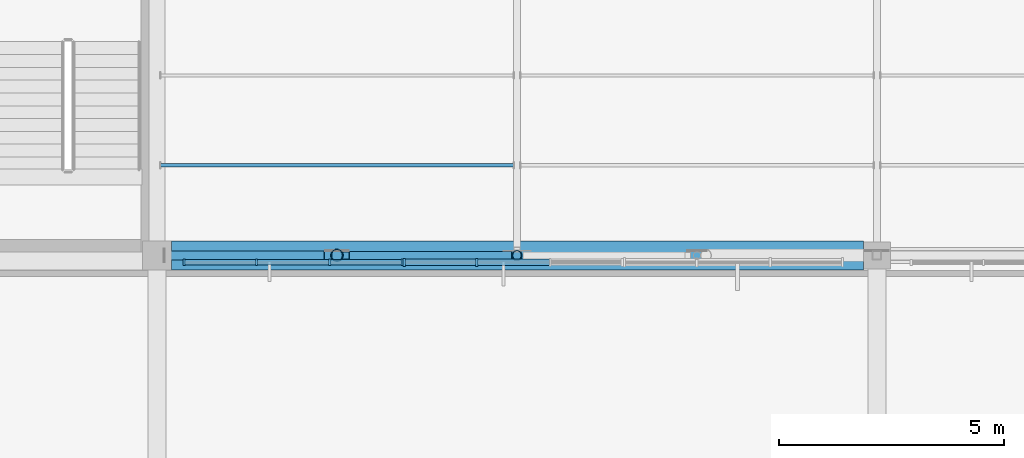
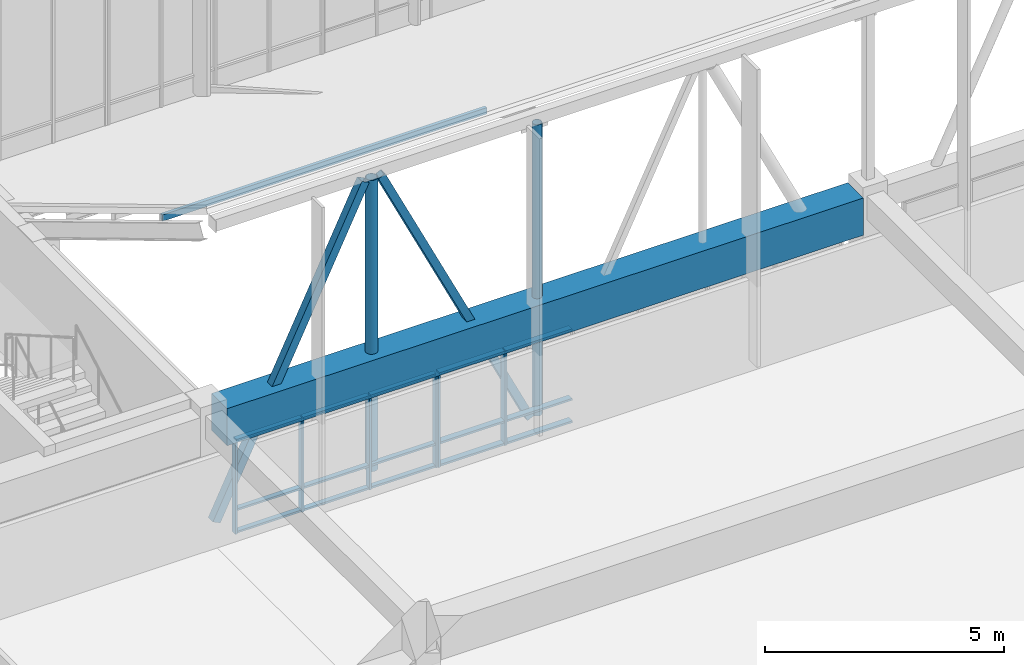
# One storey, part 31 of 155: 26 members, 1 beam, 2 elements without a shape of their own.
"""IFC4 building model written with IfcOpenShell, lengths in metres."""

import ifcopenshell
import ifcopenshell.guid

model = None  # the IFC model being written
_history = None  # IfcOwnerHistory: only IFC2X3 demands one
_inside = {}  # id of a spatial element -> (the spatial element, [elements in it])
_under = {}  # id of a project, library or spatial element -> (it, [spatial elements below it])
_declared = {}  # id of a project -> (the project, [libraries it declares])
_typed = {}  # id of a type object -> (the type object, [elements of that type])
_made_of = {}  # id of a material, layer set ... -> (it, [elements and type objects made of it])


def new_model(schema):
    """Start an empty IFC model of exactly this schema.

    Asked for "IFC4X3", IfcOpenShell would pick the latest addendum, in which some entities
    have other attributes; the version numbers below select the first issue.
    IFC2X3 requires an IfcOwnerHistory on every rooted entity: one is made here for all.
    """
    global model, _history
    if schema == "IFC4X3":
        model = ifcopenshell.file(schema_version=(4, 3, 0, 0))
    else:
        model = ifcopenshell.file(schema=schema)
    _inside.clear()
    _under.clear()
    _declared.clear()
    _typed.clear()
    _made_of.clear()
    _history = None
    if model.schema == "IFC2X3":
        org = make("IfcOrganization", Name="unknown")
        user = make(
            "IfcPersonAndOrganization",
            ThePerson=make("IfcPerson", FamilyName="unknown"),
            TheOrganization=org,
        )
        app = make(
            "IfcApplication",
            ApplicationDeveloper=org,
            Version="unknown",
            ApplicationFullName="unknown",
            ApplicationIdentifier="unknown",
        )
        _history = make(
            "IfcOwnerHistory",
            OwningUser=user,
            OwningApplication=app,
            ChangeAction="ADDED",
            CreationDate=0,
        )
    return model


def make(cls, **values):
    """One entity of the class cls with the attributes given. An attribute that is None is left unset."""
    return model.create_entity(
        cls, **{name: value for name, value in values.items() if value is not None}
    )


def rooted(cls, **values):
    """An entity with a GlobalId (a new one), such as an element, a storey or a relation."""
    return make(cls, GlobalId=ifcopenshell.guid.new(), OwnerHistory=_history, **values)


def si_unit(unit_type, name, prefix=None):
    """IfcSIUnit, for example si_unit("LENGTHUNIT", "METRE", prefix="MILLI")."""
    return make("IfcSIUnit", UnitType=unit_type, Prefix=prefix, Name=name)


def assignment(units):
    """IfcUnitAssignment: the units of a project."""
    return None if units is None else make("IfcUnitAssignment", Units=units)


def point(xyz):
    """IfcCartesianPoint."""
    return None if xyz is None else make("IfcCartesianPoint", Coordinates=xyz)


def direction(xyz):
    """IfcDirection."""
    return None if xyz is None else make("IfcDirection", DirectionRatios=xyz)


def frame(location, z_axis=None, x_axis=None):
    """IfcAxis2Placement3D, a coordinate frame: its origin and axes. An axis left out is left unset."""
    return make(
        "IfcAxis2Placement3D",
        Location=point(location),
        Axis=direction(z_axis),
        RefDirection=direction(x_axis),
    )


def frame_2d(location, x_axis=None):
    """IfcAxis2Placement2D, a coordinate frame in the plane: its origin and x axis."""
    return make(
        "IfcAxis2Placement2D", Location=point(location), RefDirection=direction(x_axis)
    )


def origin():
    """The frame at (0, 0, 0) with its axes left unset."""
    return frame((0.0, 0.0, 0.0))


def origin_2d():
    """The frame at (0, 0) in the plane with its x axis left unset."""
    return frame_2d((0.0, 0.0))


def place(relative_to, where):
    """IfcLocalPlacement: puts the frame where relative to a parent placement (None: the world)."""
    return make(
        "IfcLocalPlacement", PlacementRelTo=relative_to, RelativePlacement=where
    )


def context(
    kind, dimensions, precision=None, world=None, true_north=None, identifier=None
):
    """IfcGeometricRepresentationContext, for example the 3D "Model" context."""
    return make(
        "IfcGeometricRepresentationContext",
        ContextIdentifier=identifier,
        ContextType=kind,
        CoordinateSpaceDimension=dimensions,
        Precision=precision,
        WorldCoordinateSystem=world,
        TrueNorth=true_north,
    )


def subcontext(parent, identifier, kind, view, scale=None):
    """IfcGeometricRepresentationSubContext, for example "Body" below "Model"."""
    return make(
        "IfcGeometricRepresentationSubContext",
        ContextIdentifier=identifier,
        ContextType=kind,
        ParentContext=parent,
        TargetScale=scale,
        TargetView=view,
    )


def project(units=None, contexts=None):
    """IfcProject with its units and contexts."""
    return rooted(
        "IfcProject",
        Name="project",
        RepresentationContexts=contexts,
        UnitsInContext=assignment(units),
    )


def spatial(cls, under=None, at=None, **own):
    """A site, building, storey or space (cls), placed at a placement, below another one or the project."""
    s = rooted(cls, ObjectPlacement=at, **own)
    if under is not None:
        _under.setdefault(under.id(), (under, []))[1].append(s)
    return s


def profile(cls, at=None, kind="AREA", **sizes):
    """A parametric profile (cls). Its sizes go by their IFC names, for example OverallWidth=200.0."""
    return make(cls, ProfileType=kind, Position=at, **sizes)


def rectangle(**sizes):
    """IfcRectangleProfileDef."""
    return profile("IfcRectangleProfileDef", **sizes)


def hollow_rectangle(**sizes):
    """IfcRectangleHollowProfileDef."""
    return profile("IfcRectangleHollowProfileDef", **sizes)


def hollow_circle(**sizes):
    """IfcCircleHollowProfileDef."""
    return profile("IfcCircleHollowProfileDef", **sizes)


def extrude(swept, where, along, depth):
    """IfcExtrudedAreaSolid: the profile swept, set in the frame where, extruded along a direction by depth."""
    return make(
        "IfcExtrudedAreaSolid",
        SweptArea=swept,
        Position=where,
        ExtrudedDirection=direction(along),
        Depth=depth,
    )


def shape(context_of_items, identifier, shape_type, items):
    """IfcShapeRepresentation: the items that make up one representation, for example the "Body"."""
    return make(
        "IfcShapeRepresentation",
        ContextOfItems=context_of_items,
        RepresentationIdentifier=identifier,
        RepresentationType=shape_type,
        Items=items,
    )


def material(Name=None, Category=None):
    """IfcMaterial."""
    return make("IfcMaterial", Name=Name, Category=Category)


def material_profile(
    of_material, cross_section, Name=None, Category=None, Priority=None
):
    """IfcMaterialProfile: a cross section and its material."""
    return make(
        "IfcMaterialProfile",
        Name=Name,
        Material=of_material,
        Profile=cross_section,
        Priority=Priority,
        Category=Category,
    )


def profile_set(profiles, Name=None, composite=None):
    """IfcMaterialProfileSet."""
    return make(
        "IfcMaterialProfileSet",
        Name=Name,
        MaterialProfiles=profiles,
        CompositeProfile=composite,
    )


def made_of(thing, what):
    """Note that an element or type object is made of a material, layer set ...; save() writes the relation."""
    if what is not None:
        _made_of.setdefault(what.id(), (what, []))[1].append(thing)
    return thing


def type_object(cls, material=None, **own):
    """A type object (cls), such as IfcWallType, which elements share."""
    return made_of(rooted(cls, **own), material)


def element(
    cls,
    number,
    at=None,
    inside=None,
    cuts=None,
    type_object=None,
    material=None,
    context=None,
    identifier="Body",
    shape_type=None,
    held_by="IfcProductDefinitionShape",
    body=None,
    shapes=None,
    **own,
):
    """One element of the class cls, such as IfcWall. Its Tag is "e" and its number.

    at: its placement. inside: the storey or other place that contains it. cuts: it is an
    opening in that element (IfcRelVoidsElement). A single representation is given by context,
    identifier, shape_type and body (its items); several are given by shapes. held_by: the class
    of the entity that holds the representations. save() writes the other relations.
    """
    e = rooted(cls, Tag="e%d" % number, ObjectPlacement=at, **own)
    if body is not None:
        shapes = [shape(context, identifier, shape_type, body)]
    if shapes is not None:
        e.Representation = make(held_by, Representations=shapes)
    if inside is not None:
        _inside.setdefault(inside.id(), (inside, []))[1].append(e)
    if cuts is not None:
        rooted(
            "IfcRelVoidsElement", RelatingBuildingElement=cuts, RelatedOpeningElement=e
        )
    if type_object is not None:
        _typed.setdefault(type_object.id(), (type_object, []))[1].append(e)
    return made_of(e, material)


def aggregate(whole, parts):
    """IfcRelAggregates: a whole, such as a stair, and the parts it consists of."""
    return rooted("IfcRelAggregates", RelatingObject=whole, RelatedObjects=parts)


def save(model, path):
    """Write the relations noted so far, then the file.

    IfcRelAggregates (storeys below a building ...), IfcRelContainedInSpatialStructure (elements
    in a storey), IfcRelDefinesByType, IfcRelAssociatesMaterial and IfcRelDeclares: one each for
    every whole, place, type object, material and project.
    """
    for whole, parts in _under.values():
        aggregate(whole, parts)
    for where, things in _inside.values():
        rooted(
            "IfcRelContainedInSpatialStructure",
            RelatedElements=things,
            RelatingStructure=where,
        )
    for kind, things in _typed.values():
        rooted("IfcRelDefinesByType", RelatedObjects=things, RelatingType=kind)
    for what, things in _made_of.values():
        rooted("IfcRelAssociatesMaterial", RelatedObjects=things, RelatingMaterial=what)
    for by, libraries in _declared.values():
        rooted("IfcRelDeclares", RelatingContext=by, RelatedDefinitions=libraries)
    model.write(path)


model = new_model("IFC4")

# Units and contexts
model_context = context("Model", 3, precision=1e-05, world=origin(), true_north=direction((0.0, 1.0)))
body_context = subcontext(model_context, "Body", "Model", "MODEL_VIEW")
ifc_project = project(units=[si_unit("LENGTHUNIT", "METRE"), si_unit("AREAUNIT", "SQUARE_METRE"), si_unit("VOLUMEUNIT", "CUBIC_METRE"), si_unit("PLANEANGLEUNIT", "RADIAN"), si_unit("MASSUNIT", "GRAM", prefix="KILO")], contexts=[model_context])

# Site, building, storey
site_placement = place(None, origin())
site = spatial("IfcSite", under=ifc_project, at=site_placement, CompositionType="ELEMENT")
building_placement = place(site_placement, origin())
building = spatial("IfcBuilding", under=site, at=building_placement, Name="Larkveld Mobility Hub", CompositionType="ELEMENT")
storey_placement = place(building_placement, frame((0.0, 0.0, 8.39990234375)))
storey = spatial("IfcBuildingStorey", under=building, at=storey_placement, Name="L02", CompositionType="ELEMENT", Elevation=8.39990234375)

# Beam
ifc_material_1 = material(Name="Precast concrete C50/60", Category="concrete")
ifc_material_profile_1 = material_profile(ifc_material_1, rectangle(XDim=0.64990234375, YDim=0.949951171875, at=origin_2d()), Name="PC ITB 650x950")
ifc_profile_set_1 = profile_set([ifc_material_profile_1], Name="Precast concrete C50/60")
beam_type = type_object("IfcBeamType", Name="BM-ITB6595", PredefinedType="T_BEAM", material=ifc_profile_set_1)
beam_placement = place(storey_placement, frame((152.324951171875, 28.0, 2.885009765625), z_axis=(1.0, 0.0, 0.0), x_axis=(0.0, 1.0, 0.0)))
element("IfcBeam", 1, at=beam_placement, inside=storey, type_object=beam_type, Name="Primary E-W Girder L02-0510", PredefinedType="T_BEAM", context=body_context, shape_type="SweptSolid", body=[
    extrude(rectangle(XDim=0.64990234375, YDim=0.949951171875, at=origin_2d()), origin(), (0.0, 0.0, 1.0), 15.375),
])

# Curtain wall, members
ifc_material_2 = material(Name="Anodised aluminium 6063-T6", Category="aluminium")
curtain_wall_type_1 = type_object("IfcCurtainWallType", Name="CW-SYS-09", PredefinedType="NOTDEFINED", material=ifc_material_2)
curtain_wall_1_placement = place(storey_placement, origin())
curtain_wall_1 = element("IfcCurtainWall", 2, at=curtain_wall_1_placement, inside=storey, type_object=curtain_wall_type_1, Name="Sawtooth South-Light Clerestory B1 CW-009", PredefinedType="NOTDEFINED")
ifc_material_profile_2 = material_profile(ifc_material_2, rectangle(XDim=0.050048828125, YDim=0.14990234375, at=origin_2d()), Name="ALU MULL 50x150")
ifc_profile_set_2 = profile_set([ifc_material_profile_2], Name="Anodised aluminium 6063-T6")
member_type_1 = type_object("IfcMemberType", Name="CW-MUL-01", PredefinedType="MULLION", material=ifc_profile_set_2)
member_1_placement = place(storey_placement, frame((152.60498046875, 27.844970703125, -0.001953125), z_axis=(0.0, 0.0, 1.0), x_axis=(1.0, 0.0, 0.0)))
member_1 = element("IfcMember", 3, at=member_1_placement, type_object=member_type_1, Name="CW09 mullion 1", PredefinedType="MULLION", context=body_context, shape_type="SweptSolid", body=[
    extrude(rectangle(XDim=0.050048828125, YDim=0.14990234375, at=origin_2d()), origin(), (0.0, 0.0, 1.0), 2.412109375),
])
member_2_placement = place(storey_placement, frame((154.2109375, 27.844970703125, -0.001953125), z_axis=(0.0, 0.0, 1.0), x_axis=(1.0, 0.0, 0.0)))
member_2 = element("IfcMember", 4, at=member_2_placement, type_object=member_type_1, Name="CW09 mullion 2", PredefinedType="MULLION", context=body_context, shape_type="SweptSolid", body=[
    extrude(rectangle(XDim=0.050048828125, YDim=0.14990234375, at=origin_2d()), origin(), (0.0, 0.0, 1.0), 2.412109375),
])
member_3_placement = place(storey_placement, frame((155.842041015625, 27.844970703125, -0.001953125), z_axis=(0.0, 0.0, 1.0), x_axis=(1.0, 0.0, 0.0)))
member_3 = element("IfcMember", 5, at=member_3_placement, type_object=member_type_1, Name="CW09 mullion 3", PredefinedType="MULLION", context=body_context, shape_type="SweptSolid", body=[
    extrude(rectangle(XDim=0.050048828125, YDim=0.14990234375, at=origin_2d()), origin(), (0.0, 0.0, 1.0), 2.412109375),
])
member_4_placement = place(storey_placement, frame((157.447998046875, 27.844970703125, -0.001953125), z_axis=(0.0, 0.0, 1.0), x_axis=(1.0, 0.0, 0.0)))
member_4 = element("IfcMember", 6, at=member_4_placement, type_object=member_type_1, Name="CW09 mullion 4", PredefinedType="MULLION", context=body_context, shape_type="SweptSolid", body=[
    extrude(rectangle(XDim=0.050048828125, YDim=0.14990234375, at=origin_2d()), origin(), (0.0, 0.0, 1.0), 2.412109375),
])

curtain_wall_type_2 = type_object("IfcCurtainWallType", Name="CW-SYS-10", PredefinedType="NOTDEFINED", material=ifc_material_2)
curtain_wall_2_placement = place(storey_placement, origin())
curtain_wall_2 = element("IfcCurtainWall", 7, at=curtain_wall_2_placement, inside=storey, type_object=curtain_wall_type_2, Name="Sawtooth South-Light Clerestory B1 CW-010", PredefinedType="NOTDEFINED")
ifc_material_profile_3 = material_profile(ifc_material_2, rectangle(XDim=0.050048828125, YDim=0.179931640625, at=origin_2d()), Name="ALU MULL 50x180")
ifc_profile_set_3 = profile_set([ifc_material_profile_3], Name="Anodised aluminium 6063-T6")
member_type_2 = type_object("IfcMemberType", Name="CW-MUL-02", PredefinedType="MULLION", material=ifc_profile_set_3)
member_5_placement = place(storey_placement, frame((157.498046875, 27.844970703125, -0.001953125), z_axis=(0.0, 0.0, 1.0), x_axis=(1.0, 0.0, 0.0)))
member_5 = element("IfcMember", 8, at=member_5_placement, type_object=member_type_2, Name="CW10 mullion 1", PredefinedType="MULLION", context=body_context, shape_type="SweptSolid", body=[
    extrude(rectangle(XDim=0.050048828125, YDim=0.179931640625, at=origin_2d()), origin(), (0.0, 0.0, 1.0), 2.412109375),
])
member_6_placement = place(storey_placement, frame((159.10400390625, 27.844970703125, -0.001953125), z_axis=(0.0, 0.0, 1.0), x_axis=(1.0, 0.0, 0.0)))
member_6 = element("IfcMember", 9, at=member_6_placement, type_object=member_type_2, Name="CW10 mullion 2", PredefinedType="MULLION", context=body_context, shape_type="SweptSolid", body=[
    extrude(rectangle(XDim=0.050048828125, YDim=0.179931640625, at=origin_2d()), origin(), (0.0, 0.0, 1.0), 2.412109375),
])

# Member
ifc_material_profile_4 = material_profile(ifc_material_2, rectangle(XDim=0.1201171875, YDim=0.050048828125, at=origin_2d()), Name="ALU TRAN 50x120")
ifc_profile_set_4 = profile_set([ifc_material_profile_4], Name="Anodised aluminium 6063-T6")
member_type_3 = type_object("IfcMemberType", Name="CW-TRN-01", PredefinedType="USERDEFINED", material=ifc_profile_set_4)
member_7_placement = place(storey_placement, frame((152.614990234375, 27.844970703125, 0.030029296875), z_axis=(1.0, 0.0, 0.0), x_axis=(0.0, 1.0, 0.0)))
member_7 = element("IfcMember", 10, at=member_7_placement, type_object=member_type_3, Name="CW09 transom 1.1", ObjectType="TRANSOM", PredefinedType="USERDEFINED", context=body_context, shape_type="SweptSolid", body=[
    extrude(rectangle(XDim=0.1201171875, YDim=0.050048828125, at=origin_2d()), origin(), (0.0, 0.0, 1.0), 1.5810546875),
])

member_8_placement = place(storey_placement, frame((152.614990234375, 27.844970703125, 0.60205078125), z_axis=(1.0, 0.0, 0.0), x_axis=(0.0, 1.0, 0.0)))
member_8 = element("IfcMember", 11, at=member_8_placement, type_object=member_type_3, Name="CW09 transom 1.2", ObjectType="TRANSOM", PredefinedType="USERDEFINED", context=body_context, shape_type="SweptSolid", body=[
    extrude(rectangle(XDim=0.1201171875, YDim=0.050048828125, at=origin_2d()), origin(), (0.0, 0.0, 1.0), 1.5810546875),
])

member_9_placement = place(storey_placement, frame((152.614990234375, 27.844970703125, 2.378173828125), z_axis=(1.0, 0.0, 0.0), x_axis=(0.0, 1.0, 0.0)))
member_9 = element("IfcMember", 12, at=member_9_placement, type_object=member_type_3, Name="CW09 transom 1.3", ObjectType="TRANSOM", PredefinedType="USERDEFINED", context=body_context, shape_type="SweptSolid", body=[
    extrude(rectangle(XDim=0.1201171875, YDim=0.050048828125, at=origin_2d()), origin(), (0.0, 0.0, 1.0), 1.5810546875),
])

member_10_placement = place(storey_placement, frame((154.22607421875, 27.844970703125, 0.030029296875), z_axis=(1.0, 0.0, 0.0), x_axis=(0.0, 1.0, 0.0)))
member_10 = element("IfcMember", 13, at=member_10_placement, type_object=member_type_3, Name="CW09 transom 2.1", ObjectType="TRANSOM", PredefinedType="USERDEFINED", context=body_context, shape_type="SweptSolid", body=[
    extrude(rectangle(XDim=0.1201171875, YDim=0.050048828125, at=origin_2d()), origin(), (0.0, 0.0, 1.0), 1.600830078125),
])

member_11_placement = place(storey_placement, frame((154.22607421875, 27.844970703125, 0.60205078125), z_axis=(1.0, 0.0, 0.0), x_axis=(0.0, 1.0, 0.0)))
member_11 = element("IfcMember", 14, at=member_11_placement, type_object=member_type_3, Name="CW09 transom 2.2", ObjectType="TRANSOM", PredefinedType="USERDEFINED", context=body_context, shape_type="SweptSolid", body=[
    extrude(rectangle(XDim=0.1201171875, YDim=0.050048828125, at=origin_2d()), origin(), (0.0, 0.0, 1.0), 1.600830078125),
])

member_12_placement = place(storey_placement, frame((154.22607421875, 27.844970703125, 2.378173828125), z_axis=(1.0, 0.0, 0.0), x_axis=(0.0, 1.0, 0.0)))
member_12 = element("IfcMember", 15, at=member_12_placement, type_object=member_type_3, Name="CW09 transom 2.3", ObjectType="TRANSOM", PredefinedType="USERDEFINED", context=body_context, shape_type="SweptSolid", body=[
    extrude(rectangle(XDim=0.1201171875, YDim=0.050048828125, at=origin_2d()), origin(), (0.0, 0.0, 1.0), 1.600830078125),
])

member_13_placement = place(storey_placement, frame((155.85693359375, 27.844970703125, 0.030029296875), z_axis=(1.0, 0.0, 0.0), x_axis=(0.0, 1.0, 0.0)))
member_13 = element("IfcMember", 16, at=member_13_placement, type_object=member_type_3, Name="CW09 transom 3.1", ObjectType="TRANSOM", PredefinedType="USERDEFINED", context=body_context, shape_type="SweptSolid", body=[
    extrude(rectangle(XDim=0.1201171875, YDim=0.050048828125, at=origin_2d()), origin(), (0.0, 0.0, 1.0), 1.5810546875),
])

member_14_placement = place(storey_placement, frame((155.85693359375, 27.844970703125, 0.60205078125), z_axis=(1.0, 0.0, 0.0), x_axis=(0.0, 1.0, 0.0)))
member_14 = element("IfcMember", 17, at=member_14_placement, type_object=member_type_3, Name="CW09 transom 3.2", ObjectType="TRANSOM", PredefinedType="USERDEFINED", context=body_context, shape_type="SweptSolid", body=[
    extrude(rectangle(XDim=0.1201171875, YDim=0.050048828125, at=origin_2d()), origin(), (0.0, 0.0, 1.0), 1.5810546875),
])

member_15_placement = place(storey_placement, frame((155.85693359375, 27.844970703125, 2.378173828125), z_axis=(1.0, 0.0, 0.0), x_axis=(0.0, 1.0, 0.0)))
member_15 = element("IfcMember", 18, at=member_15_placement, type_object=member_type_3, Name="CW09 transom 3.3", ObjectType="TRANSOM", PredefinedType="USERDEFINED", context=body_context, shape_type="SweptSolid", body=[
    extrude(rectangle(XDim=0.1201171875, YDim=0.050048828125, at=origin_2d()), origin(), (0.0, 0.0, 1.0), 1.5810546875),
])

aggregate(curtain_wall_1, [member_1, member_2, member_3, member_4, member_7, member_8, member_9, member_10, member_11, member_12, member_13, member_14, member_15])

ifc_material_profile_5 = material_profile(ifc_material_2, rectangle(XDim=0.14990234375, YDim=0.050048828125, at=origin_2d()), Name="ALU TRAN 50x150")
ifc_profile_set_5 = profile_set([ifc_material_profile_5], Name="Anodised aluminium 6063-T6")
member_type_4 = type_object("IfcMemberType", Name="CW-TRN-02", PredefinedType="USERDEFINED", material=ifc_profile_set_5)
member_16_placement = place(storey_placement, frame((157.508056640625, 27.844970703125, 0.030029296875), z_axis=(1.0, 0.0, 0.0), x_axis=(0.0, 1.0, 0.0)))
member_16 = element("IfcMember", 19, at=member_16_placement, type_object=member_type_4, Name="CW10 transom 1.1", ObjectType="TRANSOM", PredefinedType="USERDEFINED", context=body_context, shape_type="SweptSolid", body=[
    extrude(rectangle(XDim=0.14990234375, YDim=0.050048828125, at=origin_2d()), origin(), (0.0, 0.0, 1.0), 1.5810546875),
])

member_17_placement = place(storey_placement, frame((157.508056640625, 27.844970703125, 0.60205078125), z_axis=(1.0, 0.0, 0.0), x_axis=(0.0, 1.0, 0.0)))
member_17 = element("IfcMember", 20, at=member_17_placement, type_object=member_type_4, Name="CW10 transom 1.2", ObjectType="TRANSOM", PredefinedType="USERDEFINED", context=body_context, shape_type="SweptSolid", body=[
    extrude(rectangle(XDim=0.14990234375, YDim=0.050048828125, at=origin_2d()), origin(), (0.0, 0.0, 1.0), 1.5810546875),
])

member_18_placement = place(storey_placement, frame((157.508056640625, 27.844970703125, 2.378173828125), z_axis=(1.0, 0.0, 0.0), x_axis=(0.0, 1.0, 0.0)))
member_18 = element("IfcMember", 21, at=member_18_placement, type_object=member_type_4, Name="CW10 transom 1.3", ObjectType="TRANSOM", PredefinedType="USERDEFINED", context=body_context, shape_type="SweptSolid", body=[
    extrude(rectangle(XDim=0.14990234375, YDim=0.050048828125, at=origin_2d()), origin(), (0.0, 0.0, 1.0), 1.5810546875),
])

member_19_placement = place(storey_placement, frame((159.118896484375, 27.844970703125, 0.030029296875), z_axis=(1.0, 0.0, 0.0), x_axis=(0.0, 1.0, 0.0)))
member_19 = element("IfcMember", 22, at=member_19_placement, type_object=member_type_4, Name="CW10 transom 2.1", ObjectType="TRANSOM", PredefinedType="USERDEFINED", context=body_context, shape_type="SweptSolid", body=[
    extrude(rectangle(XDim=0.14990234375, YDim=0.050048828125, at=origin_2d()), origin(), (0.0, 0.0, 1.0), 1.60107421875),
])

member_20_placement = place(storey_placement, frame((159.118896484375, 27.844970703125, 0.60205078125), z_axis=(1.0, 0.0, 0.0), x_axis=(0.0, 1.0, 0.0)))
member_20 = element("IfcMember", 23, at=member_20_placement, type_object=member_type_4, Name="CW10 transom 2.2", ObjectType="TRANSOM", PredefinedType="USERDEFINED", context=body_context, shape_type="SweptSolid", body=[
    extrude(rectangle(XDim=0.14990234375, YDim=0.050048828125, at=origin_2d()), origin(), (0.0, 0.0, 1.0), 1.60107421875),
])

member_21_placement = place(storey_placement, frame((159.118896484375, 27.844970703125, 2.378173828125), z_axis=(1.0, 0.0, 0.0), x_axis=(0.0, 1.0, 0.0)))
member_21 = element("IfcMember", 24, at=member_21_placement, type_object=member_type_4, Name="CW10 transom 2.3", ObjectType="TRANSOM", PredefinedType="USERDEFINED", context=body_context, shape_type="SweptSolid", body=[
    extrude(rectangle(XDim=0.14990234375, YDim=0.050048828125, at=origin_2d()), origin(), (0.0, 0.0, 1.0), 1.60107421875),
])

aggregate(curtain_wall_2, [member_5, member_6, member_16, member_17, member_18, member_19, member_20, member_21])

# Members
ifc_material_3 = material(Name="Steel S355JR", Category="steel")
ifc_material_profile_6 = material_profile(ifc_material_3, hollow_circle(Radius=0.109619140625, WallThickness=0.010009765625, at=origin_2d()), Name="CHS 219.1x10")
ifc_profile_set_6 = profile_set([ifc_material_profile_6], Name="Steel S355JR")
member_type_5 = type_object("IfcMemberType", Name="MB-BR-CHS219", PredefinedType="BRACE", material=ifc_profile_set_6)
member_22_placement = place(storey_placement, frame((160.0, 28.0, 0.360107421875), z_axis=(0.0, 0.0, 1.0), x_axis=(1.0, 0.0, 0.0)))
element("IfcMember", 25, at=member_22_placement, inside=storey, type_object=member_type_5, Name="ROOF TRUSS T1 Vertical Post 2", PredefinedType="BRACE", context=body_context, shape_type="SweptSolid", body=[
    extrude(hollow_circle(Radius=0.109619140625, WallThickness=0.010009765625, at=origin_2d()), origin(), (0.0, 0.0, 1.0), 7.43994140625),
])
ifc_material_profile_7 = material_profile(ifc_material_3, hollow_circle(Radius=0.136474609375, WallThickness=0.012451171875, at=origin_2d()), Name="CHS 273x12.5")
ifc_profile_set_7 = profile_set([ifc_material_profile_7], Name="Steel S355JR")
member_type_6 = type_object("IfcMemberType", Name="MB-BR-CHS273", PredefinedType="BRACE", material=ifc_profile_set_7)
member_23_placement = place(storey_placement, frame((156.0, 28.0, 0.360107421875), z_axis=(0.0, 0.0, 1.0), x_axis=(1.0, 0.0, 0.0)))
element("IfcMember", 26, at=member_23_placement, inside=storey, type_object=member_type_6, Name="ROOF TRUSS T1 Vertical Post 1", PredefinedType="BRACE", context=body_context, shape_type="SweptSolid", body=[
    extrude(hollow_circle(Radius=0.136474609375, WallThickness=0.012451171875, at=origin_2d()), origin(), (0.0, 0.0, 1.0), 7.43994140625),
])
ifc_material_profile_8 = material_profile(ifc_material_3, hollow_rectangle(XDim=0.179931640625, YDim=0.179931640625, WallThickness=0.010009765625, at=origin_2d()), Name="SHS 180x180x10")
ifc_profile_set_8 = profile_set([ifc_material_profile_8], Name="Steel S355JR")
member_type_7 = type_object("IfcMemberType", Name="MB-BR-SHS180", PredefinedType="BRACE", material=ifc_profile_set_8)
member_24_placement = place(storey_placement, frame((156.199951171875, 28.0, 7.800048828125), z_axis=(0.435573281392, 0.0, -0.900153273914), x_axis=(0.0, 1.0, 0.0)))
element("IfcMember", 27, at=member_24_placement, inside=storey, type_object=member_type_7, Name="ROOF TRUSS T1 Web Diagonal 2", PredefinedType="BRACE", context=body_context, shape_type="SweptSolid", body=[
    extrude(hollow_rectangle(XDim=0.179931640625, YDim=0.179931640625, WallThickness=0.010009765625, at=origin_2d()), origin(), (0.0, 0.0, 1.0), 8.26513671875),
])
ifc_material_profile_9 = material_profile(ifc_material_3, hollow_rectangle(XDim=0.199951171875, YDim=0.199951171875, WallThickness=0.010009765625, at=origin_2d()), Name="SHS 200x200x10")
ifc_profile_set_9 = profile_set([ifc_material_profile_9], Name="Steel S355JR")
member_type_8 = type_object("IfcMemberType", Name="MB-BR-SHS200", PredefinedType="BRACE", material=ifc_profile_set_9)
member_25_placement = place(storey_placement, frame((152.199951171875, 28.0, 0.360107421875), z_axis=(0.435573281392, 0.0, 0.900153273914), x_axis=(0.0, 1.0, 0.0)))
element("IfcMember", 28, at=member_25_placement, inside=storey, type_object=member_type_8, Name="ROOF TRUSS T1 Web Diagonal 1", PredefinedType="BRACE", context=body_context, shape_type="SweptSolid", body=[
    extrude(hollow_rectangle(XDim=0.199951171875, YDim=0.199951171875, WallThickness=0.010009765625, at=origin_2d()), origin(), (0.0, 0.0, 1.0), 8.26513671875),
])
ifc_material_profile_10 = material_profile(ifc_material_3, hollow_rectangle(XDim=0.080078125, YDim=0.159912109375, WallThickness=0.008056640625, at=origin_2d()), Name="RHS 160x80x8")
ifc_profile_set_10 = profile_set([ifc_material_profile_10], Name="Steel S355JR")
member_type_9 = type_object("IfcMemberType", Name="MB-PR-RHS160", PredefinedType="PURLIN", material=ifc_profile_set_10)
member_26_placement = place(storey_placement, frame((152.080078125, 30.0, 6.927001953125), z_axis=(1.0, 0.0, 0.0), x_axis=(0.0, 1.0, 0.0)))
element("IfcMember", 29, at=member_26_placement, inside=storey, type_object=member_type_9, Name="Sawtooth Roof Purlin B1-1.1", PredefinedType="PURLIN", context=body_context, shape_type="SweptSolid", body=[
    extrude(hollow_rectangle(XDim=0.080078125, YDim=0.159912109375, WallThickness=0.008056640625, at=origin_2d()), origin(), (0.0, 0.0, 1.0), 7.83984375),
])

save(model, "model.ifc")
